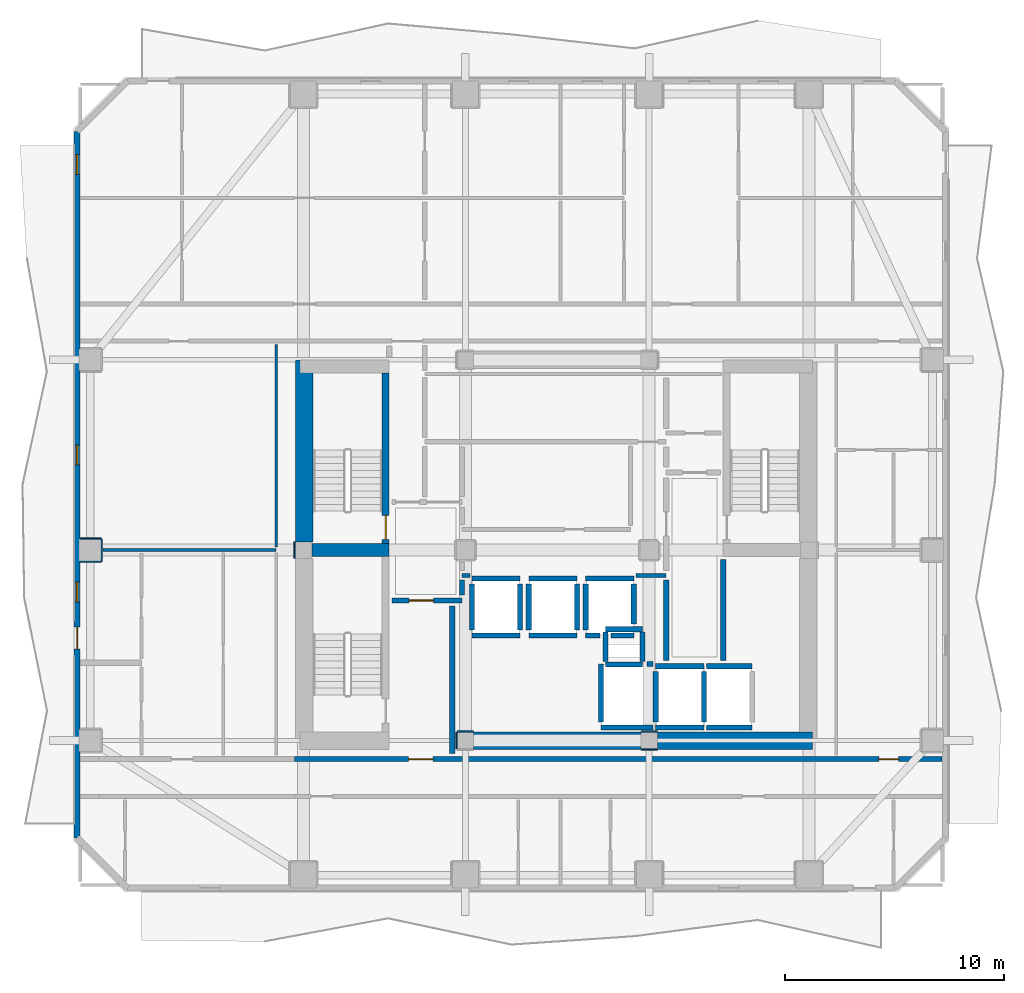
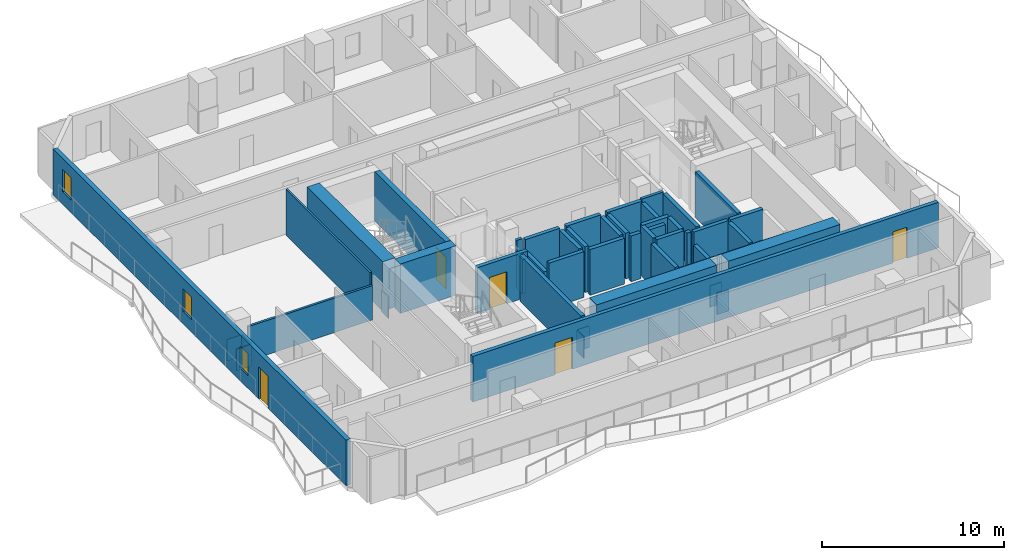
# One storey, part 3 of 11: 50 walls, 5 doors, 3 windows, 8 openings.
"""IFC4 building model written with IfcOpenShell, lengths in metres."""

from ifc_helpers import new_model, si_unit, direction, frame, frame_2d, origin, place, context, subcontext, project, spatial, rectangle, extrude, material, layer, layer_set, type_object, element, fill, save


model = new_model("IFC4")

# Units and contexts
model_context = context("Model", 3, precision=1e-05, world=origin(), true_north=direction((0.0, 1.0)))
body_context = subcontext(model_context, "Body", "Model", "MODEL_VIEW")
ifc_project = project(units=[si_unit("LENGTHUNIT", "METRE"), si_unit("AREAUNIT", "SQUARE_METRE"), si_unit("VOLUMEUNIT", "CUBIC_METRE"), si_unit("PLANEANGLEUNIT", "RADIAN"), si_unit("MASSUNIT", "GRAM", prefix="KILO")], contexts=[model_context])

# Site, building, storey
site_placement = place(None, origin())
site = spatial("IfcSite", under=ifc_project, at=site_placement, CompositionType="ELEMENT")
building_placement = place(site_placement, origin())
building = spatial("IfcBuilding", under=site, at=building_placement, Name="Solanera Arch Residences", CompositionType="ELEMENT")
storey_placement = place(building_placement, frame((0.0, 0.0, 180.199951171875)))
storey = spatial("IfcBuildingStorey", under=building, at=storey_placement, Name="L52", CompositionType="ELEMENT", Elevation=180.199951171875)

# Walls
ifc_material_1 = material(Name="Fire-Rated Gypsum Stud Partition", Category="gypsum")
ifc_layer_1 = layer(ifc_material_1, 0.06005859375)
ifc_layer_set_1 = layer_set([ifc_layer_1], Name="Fire-Rated Gypsum Stud Partition")
wall_type_1 = type_object("IfcWallType", Name="Column Acoustic Furring Wall 60", PredefinedType="PARTITIONING", material=ifc_layer_set_1)
wall_1_placement = place(storey_placement, frame((20.425048828125, 22.406982421875, 0.0), z_axis=(0.0, 0.0, 1.0), x_axis=(1.0, 0.0, 0.0)))
element("IfcWall", 1, at=wall_1_placement, inside=storey, type_object=wall_type_1, Name="L52 Column Furring 1N", PredefinedType="PARTITIONING", context=body_context, shape_type="SweptSolid", body=[
    extrude(rectangle(XDim=0.741943359375, YDim=0.06005859375, at=frame_2d((0.37109375, 0.0))), origin(), (0.0, 0.0, 1.0), 1.449951171875),
])
wall_2_placement = place(storey_placement, frame((20.39306640625, 21.625, 0.0), z_axis=(0.0, 0.0, 1.0), x_axis=(0.0, 1.0, 0.0)))
element("IfcWall", 2, at=wall_2_placement, inside=storey, type_object=wall_type_1, Name="L52 Column Furring 1W", PredefinedType="PARTITIONING", context=body_context, shape_type="SweptSolid", body=[
    extrude(rectangle(XDim=0.75, YDim=0.06005859375, at=frame_2d((0.375, 0.0))), origin(), (0.0, 0.0, 1.0), 1.449951171875),
])
for number, where, z_axis, x_axis, name in (
    (3, (28.8330078125, 21.593017578125, 0.0), (0.0, 0.0, 1.0), (1.0, 0.0, 0.0), "L52 Column Furring 2S"),
    (4, (28.8330078125, 22.406982421875, 0.0), (0.0, 0.0, 1.0), (1.0, 0.0, 0.0), "L52 Column Furring 2N"),
):
    element("IfcWall", number, at=place(storey_placement, frame(where, z_axis=z_axis, x_axis=x_axis)), inside=storey, type_object=wall_type_1, Name=name, PredefinedType="PARTITIONING", context=body_context, shape_type="SweptSolid", body=[
        extrude(rectangle(XDim=0.73388671875, YDim=0.06005859375, at=frame_2d((0.366943359375, 0.0))), origin(), (0.0, 0.0, 1.0), 1.449951171875),
    ])
wall_3_placement = place(storey_placement, frame((12.992919921875, 30.324951171875, 0.0), z_axis=(0.0, 0.0, 1.0), x_axis=(0.0, 1.0, 0.0)))
element("IfcWall", 5, at=wall_3_placement, inside=storey, type_object=wall_type_1, Name="L52 Column Furring 5W", PredefinedType="PARTITIONING", context=body_context, shape_type="SweptSolid", body=[
    extrude(rectangle(XDim=0.75, YDim=0.06005859375, at=frame_2d((0.375, 0.0))), origin(), (0.0, 0.0, 1.0), 1.449951171875),
])
for number, where, z_axis, x_axis, name in (
    (6, (3.2099609375, 30.16796875, 0.0), (0.0, 0.0, 1.0), (1.0, 0.0, 0.0), "L52 Column Furring 19S"),
    (7, (3.2099609375, 31.23193359375, 0.0), (0.0, 0.0, 1.0), (1.0, 0.0, 0.0), "L52 Column Furring 19N"),
):
    element("IfcWall", number, at=place(storey_placement, frame(where, z_axis=z_axis, x_axis=x_axis)), inside=storey, type_object=wall_type_1, Name=name, PredefinedType="PARTITIONING", context=body_context, shape_type="SweptSolid", body=[
        extrude(rectangle(XDim=0.93994140625, YDim=0.06005859375, at=frame_2d((0.469970703125, 0.0))), origin(), (0.0, 0.0, 1.0), 1.449951171875),
    ])
wall_4_placement = place(storey_placement, frame((4.181884765625, 30.199951171875, 0.0), z_axis=(0.0, 0.0, 1.0), x_axis=(0.0, 1.0, 0.0)))
element("IfcWall", 8, at=wall_4_placement, inside=storey, type_object=wall_type_1, Name="L52 Column Furring 19E", PredefinedType="PARTITIONING", context=body_context, shape_type="SweptSolid", body=[
    extrude(rectangle(XDim=1.0, YDim=0.06005859375, at=frame_2d((0.5, 0.0))), origin(), (0.0, 0.0, 1.0), 1.449951171875),
])

# Wall, opening, door
ifc_material_2 = material(Name="Concrete C40/50 (f'c = 45 MPa)", Category="concrete")
ifc_layer_2 = layer(ifc_material_2, 0.320068359375)
ifc_layer_set_2 = layer_set([ifc_layer_2], Name="Concrete C40/50 (f'c = 45 MPa)")
wall_type_2 = type_object("IfcWallType", Name="Core Shear Wall CW-320", PredefinedType="SHEAR", material=ifc_layer_set_2)
wall_5_placement = place(storey_placement, frame((17.159912109375, 31.0, 0.0), z_axis=(0.0, 0.0, 1.0), x_axis=(0.0, 1.0, 0.0)))
wall_5 = element("IfcWall", 9, at=wall_5_placement, inside=storey, type_object=wall_type_2, Name="L52 Stair ST-T1 East Shear Wall", PredefinedType="SHEAR", context=body_context, shape_type="SweptSolid", body=[
    extrude(rectangle(XDim=7.800048828125, YDim=0.320068359375, at=frame_2d((3.89990234375, 0.0))), origin(), (0.0, 0.0, 1.0), 3.320068359375),
])
opening_1_placement = place(wall_5_placement, frame((0.18994140625, 0.0, 0.0)))
opening_1 = element("IfcOpeningElement", 10, at=opening_1_placement, cuts=wall_5, Name="Opening DF-01", PredefinedType="OPENING", context=body_context, shape_type="SweptSolid", body=[
    extrude(rectangle(XDim=1.10009765625, YDim=2.14990234375, at=frame_2d((0.550048828125, 1.074951171875))), frame((0.0, 0.169921875, 0.0), z_axis=(0.0, -1.0, 0.0), x_axis=(1.0, 0.0, 0.0)), (0.0, 0.0, 1.0), 0.3401),
])
ifc_material_3 = material(Name="Fire-Rated Architectural Hardwood", Category="wood")
door_type_1 = type_object("IfcDoorType", Name="Stair Exit Fire Door DF-01", OperationType="NOTDEFINED", PredefinedType="DOOR", material=ifc_material_3)
door_1_placement = place(opening_1_placement, origin())
door_1 = element("IfcDoor", 11, at=door_1_placement, inside=storey, type_object=door_type_1, Name="DR-L52-STAIR-ST-T1", OperationType="SINGLE_SWING_LEFT", OverallHeight=2.14990234375, OverallWidth=1.10009765625, PredefinedType="DOOR", context=body_context, shape_type="SweptSolid", body=[
    extrude(rectangle(XDim=1.10009765625, YDim=2.14990234375, at=frame_2d((0.550048828125, 1.074951171875))), frame((0.0, 0.02490234375, 0.0), z_axis=(0.0, -1.0, 0.0), x_axis=(1.0, 0.0, 0.0)), (0.0, 0.0, 1.0), 0.050048828125),
])
fill(opening_1, door_1)

# Walls
ifc_material_4 = material(Name="Concrete C40/50 (f'c = 45 MPa)", Category="concrete")
ifc_layer_3 = layer(ifc_material_4, 0.60009765625)
ifc_layer_set_3 = layer_set([ifc_layer_3], Name="Concrete C40/50 (f'c = 45 MPa)")
wall_type_3 = type_object("IfcWallType", Name="Core Shear Wall CW-600", PredefinedType="SHEAR", material=ifc_layer_set_3)
wall_6_placement = place(storey_placement, frame((13.780029296875, 30.699951171875, 0.0), z_axis=(0.0, 0.0, 1.0), x_axis=(1.0, 0.0, 0.0)))
element("IfcWall", 12, at=wall_6_placement, inside=storey, type_object=wall_type_3, Name="L52 West Stair Divider Shear Wall", PredefinedType="SHEAR", context=body_context, shape_type="SweptSolid", body=[
    extrude(rectangle(XDim=3.5400390625, YDim=0.60009765625, at=frame_2d((1.77001953125, 0.0))), origin(), (0.0, 0.0, 1.0), 3.320068359375),
])
ifc_material_5 = material(Name="Concrete C40/50 (f'c = 45 MPa)", Category="concrete")
ifc_layer_4 = layer(ifc_material_5, 0.800048828125)
ifc_layer_set_4 = layer_set([ifc_layer_4], Name="Concrete C40/50 (f'c = 45 MPa)")
wall_type_4 = type_object("IfcWallType", Name="Core Shear Wall CW-800", PredefinedType="SHEAR", material=ifc_layer_set_4)
wall_7_placement = place(storey_placement, frame((13.43994140625, 31.080078125, 0.0), z_axis=(0.0, 0.0, 1.0), x_axis=(0.0, 1.0, 0.0)))
element("IfcWall", 13, at=wall_7_placement, inside=storey, type_object=wall_type_4, Name="L52 West Core North Shear Wall", PredefinedType="SHEAR", context=body_context, shape_type="SweptSolid", body=[
    extrude(rectangle(XDim=8.31982421875, YDim=0.800048828125, at=frame_2d((4.159912109375, 0.0))), origin(), (0.0, 0.0, 1.0), 3.320068359375),
])
wall_8_placement = place(storey_placement, frame((29.580078125, 22.0, 0.0), z_axis=(0.0, 0.0, 1.0), x_axis=(1.0, 0.0, 0.0)))
element("IfcWall", 14, at=wall_8_placement, inside=storey, type_object=wall_type_4, Name="L52 South-East Core Shear Wall", PredefinedType="SHEAR", context=body_context, shape_type="SweptSolid", body=[
    extrude(rectangle(XDim=7.079833984375, YDim=0.800048828125, at=frame_2d((3.5400390625, 0.0))), origin(), (0.0, 0.0, 1.0), 3.320068359375),
])
wall_9_placement = place(storey_placement, frame((21.179931640625, 22.0, 0.0), z_axis=(0.0, 0.0, 1.0), x_axis=(1.0, 0.0, 0.0)))
element("IfcWall", 15, at=wall_9_placement, inside=storey, type_object=wall_type_4, Name="L52 Central South Core Shear Wall", PredefinedType="SHEAR", context=body_context, shape_type="SweptSolid", body=[
    extrude(rectangle(XDim=7.64013671875, YDim=0.800048828125, at=frame_2d((3.820068359375, 0.0))), origin(), (0.0, 0.0, 1.0), 3.320068359375),
])
ifc_material_6 = material(Name="Autoclaved Aerated Concrete Blockwork", Category="masonry")
ifc_layer_5 = layer(ifc_material_6, 0.179931640625)
ifc_layer_set_5 = layer_set([ifc_layer_5], Name="Autoclaved Aerated Concrete Blockwork")
wall_type_5 = type_object("IfcWallType", Name="Corridor Fire Partition 180", PredefinedType="PARTITIONING", material=ifc_layer_set_5)
wall_10_placement = place(storey_placement, frame((20.64990234375, 29.550048828125, 0.0), z_axis=(0.0, 0.0, 1.0), x_axis=(1.0, 0.0, 0.0)))
element("IfcWall", 16, at=wall_10_placement, inside=storey, type_object=wall_type_5, Name="L52 Interior Partition H9 1", PredefinedType="PARTITIONING", context=body_context, shape_type="SweptSolid", body=[
    extrude(rectangle(XDim=0.357177734375, YDim=0.179931640625, at=frame_2d((0.1787109375, 0.0))), origin(), (0.0, 0.0, 1.0), 3.080078125),
])
wall_11_placement = place(storey_placement, frame((28.593017578125, 29.550048828125, 0.0), z_axis=(0.0, 0.0, 1.0), x_axis=(1.0, 0.0, 0.0)))
element("IfcWall", 17, at=wall_11_placement, inside=storey, type_object=wall_type_5, Name="L52 Interior Partition H9 2", PredefinedType="PARTITIONING", context=body_context, shape_type="SweptSolid", body=[
    extrude(rectangle(XDim=1.382080078125, YDim=0.179931640625, at=frame_2d((0.69091796875, 0.0))), origin(), (0.0, 0.0, 1.0), 3.080078125),
])

# Wall, openings, door, windows
ifc_material_7 = material(Name="Precast Concrete C35/45", Category="concrete")
ifc_layer_6 = layer(ifc_material_7, 0.280029296875)
ifc_layer_set_6 = layer_set([ifc_layer_6], Name="Precast Concrete C35/45")
wall_type_6 = type_object("IfcWallType", Name="Exterior Wall Precast Masonry-Frame 280", PredefinedType="STANDARD", material=ifc_layer_set_6)
wall_12_placement = place(storey_placement, frame((3.054931640625, 17.554931640625, 0.0), z_axis=(0.0, 0.0, 1.0), x_axis=(0.0, 1.0, 0.0)))
wall_12 = element("IfcWall", 18, at=wall_12_placement, inside=storey, type_object=wall_type_6, Name="L52 Tower Exterior Precast Masonry-Frame Wall W", PredefinedType="STANDARD", context=body_context, shape_type="SweptSolid", body=[
    extrude(rectangle(XDim=32.2900390625, YDim=0.280029296875, at=frame_2d((16.14501953125, 0.0))), origin(), (0.0, 0.0, 1.0), 3.080078125),
])
opening_2_placement = place(wall_12_placement, frame((8.625, 0.0, 0.0)))
opening_2 = element("IfcOpeningElement", 19, at=opening_2_placement, cuts=wall_12, Name="Opening DB-01", PredefinedType="OPENING", context=body_context, shape_type="SweptSolid", body=[
    extrude(rectangle(XDim=1.0, YDim=2.14990234375, at=frame_2d((0.5, 1.074951171875))), frame((0.0, 0.14990234375, 0.0), z_axis=(0.0, -1.0, 0.0), x_axis=(1.0, 0.0, 0.0)), (0.0, 0.0, 1.0), 0.3),
])
opening_3_placement = place(wall_12_placement, frame((30.322021484375, 0.0, 0.85009765625)))
opening_3 = element("IfcOpeningElement", 20, at=opening_3_placement, cuts=wall_12, Name="Opening W-06", PredefinedType="OPENING", context=body_context, shape_type="SweptSolid", body=[
    extrude(rectangle(XDim=0.89990234375, YDim=1.5, at=frame_2d((0.449951171875, 0.75))), frame((0.0, 0.14990234375, 0.0), z_axis=(0.0, -1.0, 0.0), x_axis=(1.0, 0.0, 0.0)), (0.0, 0.0, 1.0), 0.3),
])
opening_4_placement = place(wall_12_placement, frame((10.784912109375, 0.0, 0.85009765625)))
opening_4 = element("IfcOpeningElement", 21, at=opening_4_placement, cuts=wall_12, Name="Opening W-06", PredefinedType="OPENING", context=body_context, shape_type="SweptSolid", body=[
    extrude(rectangle(XDim=0.89990234375, YDim=1.5, at=frame_2d((0.449951171875, 0.75))), frame((0.0, 0.14990234375, 0.0), z_axis=(0.0, -1.0, 0.0), x_axis=(1.0, 0.0, 0.0)), (0.0, 0.0, 1.0), 0.3),
])
opening_5_placement = place(wall_12_placement, frame((17.044921875, 0.0, 0.85009765625)))
opening_5 = element("IfcOpeningElement", 22, at=opening_5_placement, cuts=wall_12, Name="Opening W-06", PredefinedType="OPENING", context=body_context, shape_type="SweptSolid", body=[
    extrude(rectangle(XDim=0.89990234375, YDim=1.5, at=frame_2d((0.449951171875, 0.75))), frame((0.0, 0.14990234375, 0.0), z_axis=(0.0, -1.0, 0.0), x_axis=(1.0, 0.0, 0.0)), (0.0, 0.0, 1.0), 0.3),
])
ifc_material_8 = material(Name="Anodised Aluminium Alloy 6063-T6", Category="aluminium")
door_type_2 = type_object("IfcDoorType", Name="Glazed Balcony Swing Door DB-01", OperationType="NOTDEFINED", PredefinedType="DOOR", material=ifc_material_8)
door_2_placement = place(opening_2_placement, origin())
door_2 = element("IfcDoor", 23, at=door_2_placement, inside=storey, type_object=door_type_2, Name="DR-L52-OUT-04", OperationType="SINGLE_SWING_LEFT", OverallHeight=2.14990234375, OverallWidth=1.0, PredefinedType="DOOR", context=body_context, shape_type="SweptSolid", body=[
    extrude(rectangle(XDim=1.0, YDim=2.14990234375, at=frame_2d((0.5, 1.074951171875))), frame((0.0, 0.02490234375, 0.0), z_axis=(0.0, -1.0, 0.0), x_axis=(1.0, 0.0, 0.0)), (0.0, 0.0, 1.0), 0.050048828125),
])
fill(opening_2, door_2)
ifc_material_9 = material(Name="Double Glazed Low-E Laminated Glass", Category="glass")
window_type = type_object("IfcWindowType", Name="Punched Window W-06", PartitioningType="SINGLE_PANEL", PredefinedType="WINDOW", material=ifc_material_9)
window_1_placement = place(opening_3_placement, origin())
window_1 = element("IfcWindow", 24, at=window_1_placement, inside=storey, type_object=window_type, Name="L52 5203-BR1 Punched Window", OverallHeight=1.5, OverallWidth=0.89990234375, PartitioningType="SINGLE_PANEL", PredefinedType="WINDOW", context=body_context, shape_type="SweptSolid", body=[
    extrude(rectangle(XDim=0.89990234375, YDim=1.5, at=frame_2d((0.449951171875, 0.75))), frame((0.0, 0.030029296875, 0.0), z_axis=(0.0, -1.0, 0.0), x_axis=(1.0, 0.0, 0.0)), (0.0, 0.0, 1.0), 0.06005859375),
])
fill(opening_3, window_1)
window_2_placement = place(opening_4_placement, origin())
window_2 = element("IfcWindow", 25, at=window_2_placement, inside=storey, type_object=window_type, Name="L52 5205-BR1 Punched Window", OverallHeight=1.5, OverallWidth=0.89990234375, PartitioningType="SINGLE_PANEL", PredefinedType="WINDOW", context=body_context, shape_type="SweptSolid", body=[
    extrude(rectangle(XDim=0.89990234375, YDim=1.5, at=frame_2d((0.449951171875, 0.75))), frame((0.0, 0.030029296875, 0.0), z_axis=(0.0, -1.0, 0.0), x_axis=(1.0, 0.0, 0.0)), (0.0, 0.0, 1.0), 0.06005859375),
])
fill(opening_4, window_2)
window_3_placement = place(opening_5_placement, origin())
window_3 = element("IfcWindow", 26, at=window_3_placement, inside=storey, type_object=window_type, Name="L52 AMN-STDW Punched Window", OverallHeight=1.5, OverallWidth=0.89990234375, PartitioningType="SINGLE_PANEL", PredefinedType="WINDOW", context=body_context, shape_type="SweptSolid", body=[
    extrude(rectangle(XDim=0.89990234375, YDim=1.5, at=frame_2d((0.449951171875, 0.75))), frame((0.0, 0.030029296875, 0.0), z_axis=(0.0, -1.0, 0.0), x_axis=(1.0, 0.0, 0.0)), (0.0, 0.0, 1.0), 0.06005859375),
])
fill(opening_5, window_3)

# Walls
ifc_material_10 = material(Name="Concrete C40/50 (f'c = 45 MPa)", Category="concrete")
ifc_layer_7 = layer(ifc_material_10, 0.239990234375)
ifc_layer_set_7 = layer_set([ifc_layer_7], Name="Concrete C40/50 (f'c = 45 MPa)")
wall_type_7 = type_object("IfcWallType", Name="Ramp Bearing Shear Wall RW-240", PredefinedType="SHEAR", material=ifc_layer_set_7)
for number, where, z_axis, x_axis, name in (
    (27, (27.199951171875, 25.47998046875, 0.0), (0.0, 0.0, 1.0), (1.0, 0.0, 0.0), "L52 Core MEP Riser South Shaft Wall"),
    (28, (27.199951171875, 27.080078125, 0.0), (0.0, 0.0, 1.0), (1.0, 0.0, 0.0), "L52 Core MEP Riser North Shaft Wall"),
):
    element("IfcWall", number, at=place(storey_placement, frame(where, z_axis=z_axis, x_axis=x_axis)), inside=storey, type_object=wall_type_7, Name=name, PredefinedType="SHEAR", context=body_context, shape_type="SweptSolid", body=[
        extrude(rectangle(XDim=1.699951171875, YDim=0.239990234375, at=frame_2d((0.85009765625, 0.0))), origin(), (0.0, 0.0, 1.0), 3.320068359375),
    ])
for number, where, z_axis, x_axis, name in (
    (29, (27.199951171875, 25.60009765625, 0.0), (0.0, 0.0, 1.0), (0.0, 1.0, 0.0), "L52 Core MEP Riser West Shaft Wall"),
    (30, (28.89990234375, 25.60009765625, 0.0), (0.0, 0.0, 1.0), (0.0, 1.0, 0.0), "L52 Core MEP Riser East Shaft Wall"),
):
    element("IfcWall", number, at=place(storey_placement, frame(where, z_axis=z_axis, x_axis=x_axis)), inside=storey, type_object=wall_type_7, Name=name, PredefinedType="SHEAR", context=body_context, shape_type="SweptSolid", body=[
        extrude(rectangle(XDim=1.35986328125, YDim=0.239990234375, at=frame_2d((0.679931640625, 0.0))), origin(), (0.0, 0.0, 1.0), 3.320068359375),
    ])
ifc_material_11 = material(Name="Autoclaved Aerated Concrete Blockwork", Category="masonry")
ifc_layer_8 = layer(ifc_material_11, 0.239990234375)
ifc_layer_set_8 = layer_set([ifc_layer_8], Name="Autoclaved Aerated Concrete Blockwork")
wall_type_8 = type_object("IfcWallType", Name="Shaft Wall Fire-Rated 240", PredefinedType="PARTITIONING", material=ifc_layer_set_8)
for number, where, z_axis, x_axis, name in (
    (31, (21.10009765625, 26.800048828125, 0.0), (0.0, 0.0, 1.0), (1.0, 0.0, 0.0), "L52 Lift PL-H1 Hoistway Wall S"),
    (32, (21.10009765625, 29.39990234375, 0.0), (0.0, 0.0, 1.0), (1.0, 0.0, 0.0), "L52 Lift PL-H1 Hoistway Wall N"),
):
    element("IfcWall", number, at=place(storey_placement, frame(where, z_axis=z_axis, x_axis=x_axis)), inside=storey, type_object=wall_type_8, Name=name, PredefinedType="PARTITIONING", context=body_context, shape_type="SweptSolid", body=[
        extrude(rectangle(XDim=2.199951171875, YDim=0.239990234375, at=frame_2d((1.10009765625, 0.0))), origin(), (0.0, 0.0, 1.0), 3.080078125),
    ])
wall_13_placement = place(storey_placement, frame((21.10009765625, 27.048095703125, 0.0), z_axis=(0.0, 0.0, 1.0), x_axis=(0.0, 1.0, 0.0)))
element("IfcWall", 33, at=wall_13_placement, inside=storey, type_object=wall_type_8, Name="L52 Lift PL-H1 Hoistway Wall W", PredefinedType="PARTITIONING", context=body_context, shape_type="SweptSolid", body=[
    extrude(rectangle(XDim=2.10400390625, YDim=0.239990234375, at=frame_2d((1.052001953125, 0.0))), origin(), (0.0, 0.0, 1.0), 2.31494140625),
])
wall_14_placement = place(storey_placement, frame((23.300048828125, 27.048095703125, 0.0), z_axis=(0.0, 0.0, 1.0), x_axis=(0.0, 1.0, 0.0)))
element("IfcWall", 34, at=wall_14_placement, inside=storey, type_object=wall_type_8, Name="L52 Lift PL-H1 Hoistway Wall E", PredefinedType="PARTITIONING", context=body_context, shape_type="SweptSolid", body=[
    extrude(rectangle(XDim=2.10400390625, YDim=0.239990234375, at=frame_2d((1.052001953125, 0.0))), origin(), (0.0, 0.0, 1.0), 3.080078125),
])
for number, where, z_axis, x_axis, name in (
    (35, (23.699951171875, 26.800048828125, 0.0), (0.0, 0.0, 1.0), (1.0, 0.0, 0.0), "L52 Lift PL-H2 Hoistway Wall S"),
    (36, (23.699951171875, 29.39990234375, 0.0), (0.0, 0.0, 1.0), (1.0, 0.0, 0.0), "L52 Lift PL-H2 Hoistway Wall N"),
):
    element("IfcWall", number, at=place(storey_placement, frame(where, z_axis=z_axis, x_axis=x_axis)), inside=storey, type_object=wall_type_8, Name=name, PredefinedType="PARTITIONING", context=body_context, shape_type="SweptSolid", body=[
        extrude(rectangle(XDim=2.199951171875, YDim=0.239990234375, at=frame_2d((1.10009765625, 0.0))), origin(), (0.0, 0.0, 1.0), 3.080078125),
    ])
for number, where, z_axis, x_axis, name in (
    (37, (23.699951171875, 27.048095703125, 0.0), (0.0, 0.0, 1.0), (0.0, 1.0, 0.0), "L52 Lift PL-H2 Hoistway Wall W"),
    (38, (25.89990234375, 27.048095703125, 0.0), (0.0, 0.0, 1.0), (0.0, 1.0, 0.0), "L52 Lift PL-H2 Hoistway Wall E"),
):
    element("IfcWall", number, at=place(storey_placement, frame(where, z_axis=z_axis, x_axis=x_axis)), inside=storey, type_object=wall_type_8, Name=name, PredefinedType="PARTITIONING", context=body_context, shape_type="SweptSolid", body=[
        extrude(rectangle(XDim=2.10400390625, YDim=0.239990234375, at=frame_2d((1.052001953125, 0.0))), origin(), (0.0, 0.0, 1.0), 3.080078125),
    ])
wall_15_placement = place(storey_placement, frame((26.300048828125, 26.800048828125, 0.0), z_axis=(0.0, 0.0, 1.0), x_axis=(1.0, 0.0, 0.0)))
element("IfcWall", 39, at=wall_15_placement, inside=storey, type_object=wall_type_8, Name="L52 Lift PL-H3 Hoistway Wall S 1", PredefinedType="PARTITIONING", context=body_context, shape_type="SweptSolid", body=[
    extrude(rectangle(XDim=0.64990234375, YDim=0.239990234375, at=frame_2d((0.324951171875, 0.0))), origin(), (0.0, 0.0, 1.0), 3.080078125),
])
wall_16_placement = place(storey_placement, frame((27.449951171875, 26.800048828125, 0.0), z_axis=(0.0, 0.0, 1.0), x_axis=(1.0, 0.0, 0.0)))
element("IfcWall", 40, at=wall_16_placement, inside=storey, type_object=wall_type_8, Name="L52 Lift PL-H3 Hoistway Wall S 2", PredefinedType="PARTITIONING", context=body_context, shape_type="SweptSolid", body=[
    extrude(rectangle(XDim=1.050048828125, YDim=0.239990234375, at=frame_2d((0.52490234375, 0.0))), origin(), (0.0, 0.0, 1.0), 3.080078125),
])
wall_17_placement = place(storey_placement, frame((26.300048828125, 29.39990234375, 0.0), z_axis=(0.0, 0.0, 1.0), x_axis=(1.0, 0.0, 0.0)))
element("IfcWall", 41, at=wall_17_placement, inside=storey, type_object=wall_type_8, Name="L52 Lift PL-H3 Hoistway Wall N", PredefinedType="PARTITIONING", context=body_context, shape_type="SweptSolid", body=[
    extrude(rectangle(XDim=2.199951171875, YDim=0.239990234375, at=frame_2d((1.10009765625, 0.0))), origin(), (0.0, 0.0, 1.0), 3.080078125),
])
wall_18_placement = place(storey_placement, frame((26.300048828125, 27.048095703125, 0.0), z_axis=(0.0, 0.0, 1.0), x_axis=(0.0, 1.0, 0.0)))
element("IfcWall", 42, at=wall_18_placement, inside=storey, type_object=wall_type_8, Name="L52 Lift PL-H3 Hoistway Wall W", PredefinedType="PARTITIONING", context=body_context, shape_type="SweptSolid", body=[
    extrude(rectangle(XDim=2.10400390625, YDim=0.239990234375, at=frame_2d((1.052001953125, 0.0))), origin(), (0.0, 0.0, 1.0), 3.080078125),
])
wall_19_placement = place(storey_placement, frame((28.5, 27.330078125, 0.0), z_axis=(0.0, 0.0, 1.0), x_axis=(0.0, 1.0, 0.0)))
element("IfcWall", 43, at=wall_19_placement, inside=storey, type_object=wall_type_8, Name="L52 Lift PL-H3 Hoistway Wall E", PredefinedType="PARTITIONING", context=body_context, shape_type="SweptSolid", body=[
    extrude(rectangle(XDim=1.822021484375, YDim=0.239990234375, at=frame_2d((0.9111328125, 0.0))), origin(), (0.0, 0.0, 1.0), 3.080078125),
])
for number, where, z_axis, x_axis, name in (
    (44, (29.5, 22.60009765625, 0.0), (0.0, 0.0, 1.0), (1.0, 0.0, 0.0), "L52 Lift FFL-1 Hoistway Wall S"),
    (45, (29.5, 25.39990234375, 0.0), (0.0, 0.0, 1.0), (1.0, 0.0, 0.0), "L52 Lift FFL-1 Hoistway Wall N"),
):
    element("IfcWall", number, at=place(storey_placement, frame(where, z_axis=z_axis, x_axis=x_axis)), inside=storey, type_object=wall_type_8, Name=name, PredefinedType="PARTITIONING", context=body_context, shape_type="SweptSolid", body=[
        extrude(rectangle(XDim=2.199951171875, YDim=0.239990234375, at=frame_2d((1.10009765625, 0.0))), origin(), (0.0, 0.0, 1.0), 3.080078125),
    ])
wall_20_placement = place(storey_placement, frame((29.5, 22.847900390625, 0.0), z_axis=(0.0, 0.0, 1.0), x_axis=(0.0, 1.0, 0.0)))
element("IfcWall", 46, at=wall_20_placement, inside=storey, type_object=wall_type_8, Name="L52 Lift FFL-1 Hoistway Wall W", PredefinedType="PARTITIONING", context=body_context, shape_type="SweptSolid", body=[
    extrude(rectangle(XDim=2.30419921875, YDim=0.239990234375, at=frame_2d((1.152099609375, 0.0))), origin(), (0.0, 0.0, 1.0), 2.31494140625),
])
wall_21_placement = place(storey_placement, frame((31.699951171875, 22.847900390625, 0.0), z_axis=(0.0, 0.0, 1.0), x_axis=(0.0, 1.0, 0.0)))
element("IfcWall", 47, at=wall_21_placement, inside=storey, type_object=wall_type_8, Name="L52 Lift FFL-1 Hoistway Wall E", PredefinedType="PARTITIONING", context=body_context, shape_type="SweptSolid", body=[
    extrude(rectangle(XDim=2.30419921875, YDim=0.239990234375, at=frame_2d((1.152099609375, 0.0))), origin(), (0.0, 0.0, 1.0), 3.080078125),
])
for number, where, z_axis, x_axis, name in (
    (48, (31.827880859375, 22.60009765625, 0.0), (0.0, 0.0, 1.0), (1.0, 0.0, 0.0), "L52 Lift FFL-2 Hoistway Wall S"),
    (49, (31.827880859375, 25.39990234375, 0.0), (0.0, 0.0, 1.0), (1.0, 0.0, 0.0), "L52 Lift FFL-2 Hoistway Wall N"),
):
    element("IfcWall", number, at=place(storey_placement, frame(where, z_axis=z_axis, x_axis=x_axis)), inside=storey, type_object=wall_type_8, Name=name, PredefinedType="PARTITIONING", context=body_context, shape_type="SweptSolid", body=[
        extrude(rectangle(XDim=2.072021484375, YDim=0.239990234375, at=frame_2d((1.0361328125, 0.0))), origin(), (0.0, 0.0, 1.0), 3.080078125),
    ])
wall_22_placement = place(storey_placement, frame((27.0, 22.60009765625, 0.0), z_axis=(0.0, 0.0, 1.0), x_axis=(1.0, 0.0, 0.0)))
element("IfcWall", 50, at=wall_22_placement, inside=storey, type_object=wall_type_8, Name="L52 Lift SVL-1 Hoistway Wall S", PredefinedType="PARTITIONING", context=body_context, shape_type="SweptSolid", body=[
    extrude(rectangle(XDim=2.3720703125, YDim=0.239990234375, at=frame_2d((1.18603515625, 0.0))), origin(), (0.0, 0.0, 1.0), 3.080078125),
])
wall_23_placement = place(storey_placement, frame((29.10302734375, 25.5, 0.0), z_axis=(0.0, 0.0, 1.0), x_axis=(1.0, 0.0, 0.0)))
element("IfcWall", 51, at=wall_23_placement, inside=storey, type_object=wall_type_8, Name="L52 Lift SVL-1 Hoistway Wall N", PredefinedType="PARTITIONING", context=body_context, shape_type="SweptSolid", body=[
    extrude(rectangle(XDim=0.26904296875, YDim=0.239990234375, at=frame_2d((0.134521484375, 0.0))), origin(), (0.0, 0.0, 1.0), 3.080078125),
])
wall_24_placement = place(storey_placement, frame((27.0, 22.847900390625, 0.0), z_axis=(0.0, 0.0, 1.0), x_axis=(0.0, 1.0, 0.0)))
element("IfcWall", 52, at=wall_24_placement, inside=storey, type_object=wall_type_8, Name="L52 Lift SVL-1 Hoistway Wall W", PredefinedType="PARTITIONING", context=body_context, shape_type="SweptSolid", body=[
    extrude(rectangle(XDim=2.650146484375, YDim=0.239990234375, at=frame_2d((1.3251953125, 0.0))), origin(), (0.0, 0.0, 1.0), 3.080078125),
])

# Wall, openings, doors
wall_25_placement = place(storey_placement, frame((12.98291015625, 21.14990234375, 0.0), z_axis=(0.0, 0.0, 1.0), x_axis=(1.0, 0.0, 0.0)))
wall_25 = element("IfcWall", 53, at=wall_25_placement, inside=storey, type_object=wall_type_8, Name="L52 Interior Partition H1 3", PredefinedType="PARTITIONING", context=body_context, shape_type="SweptSolid", body=[
    extrude(rectangle(XDim=29.610107421875, YDim=0.239990234375, at=frame_2d((14.80517578125, 0.0))), origin(), (0.0, 0.0, 1.0), 3.080078125),
])
opening_6_placement = place(wall_25_placement, frame((5.22705078125, 0.0, 0.0)))
opening_6 = element("IfcOpeningElement", 54, at=opening_6_placement, cuts=wall_25, Name="Opening DF-02", PredefinedType="OPENING", context=body_context, shape_type="SweptSolid", body=[
    extrude(rectangle(XDim=1.10009765625, YDim=2.14990234375, at=frame_2d((0.550048828125, 1.074951171875))), frame((0.0, 0.1298828125, 0.0), z_axis=(0.0, -1.0, 0.0), x_axis=(1.0, 0.0, 0.0)), (0.0, 0.0, 1.0), 0.26),
])
opening_7_placement = place(wall_25_placement, frame((26.718017578125, 0.0, 0.0)))
opening_7 = element("IfcOpeningElement", 55, at=opening_7_placement, cuts=wall_25, Name="Opening DI-02", PredefinedType="OPENING", context=body_context, shape_type="SweptSolid", body=[
    extrude(rectangle(XDim=0.89990234375, YDim=2.10009765625, at=frame_2d((0.449951171875, 1.050048828125))), frame((0.0, 0.1298828125, 0.0), z_axis=(0.0, -1.0, 0.0), x_axis=(1.0, 0.0, 0.0)), (0.0, 0.0, 1.0), 0.26),
])
ifc_material_12 = material(Name="Fire-Rated Architectural Hardwood", Category="wood")
door_type_3 = type_object("IfcDoorType", Name="Firefighting Lobby Fire Door DF-02", OperationType="NOTDEFINED", PredefinedType="DOOR", material=ifc_material_12)
door_3_placement = place(opening_6_placement, origin())
door_3 = element("IfcDoor", 56, at=door_3_placement, inside=storey, type_object=door_type_3, Name="DR-L52-IN-008", OperationType="SINGLE_SWING_RIGHT", OverallHeight=2.14990234375, OverallWidth=1.10009765625, PredefinedType="DOOR", context=body_context, shape_type="SweptSolid", body=[
    extrude(rectangle(XDim=1.10009765625, YDim=2.14990234375, at=frame_2d((0.550048828125, 1.074951171875))), frame((0.0, 0.02490234375, 0.0), z_axis=(0.0, -1.0, 0.0), x_axis=(1.0, 0.0, 0.0)), (0.0, 0.0, 1.0), 0.050048828125),
])
fill(opening_6, door_3)
ifc_material_13 = material(Name="Fire-Rated Architectural Hardwood", Category="wood")
door_type_4 = type_object("IfcDoorType", Name="Suite Room Swing Door DI-02", OperationType="NOTDEFINED", PredefinedType="DOOR", material=ifc_material_13)
door_4_placement = place(opening_7_placement, origin())
door_4 = element("IfcDoor", 57, at=door_4_placement, inside=storey, type_object=door_type_4, Name="DR-L52-IN-038", OperationType="SINGLE_SWING_RIGHT", OverallHeight=2.10009765625, OverallWidth=0.89990234375, PredefinedType="DOOR", context=body_context, shape_type="SweptSolid", body=[
    extrude(rectangle(XDim=0.89990234375, YDim=2.10009765625, at=frame_2d((0.449951171875, 1.050048828125))), frame((0.0, 0.02490234375, 0.0), z_axis=(0.0, -1.0, 0.0), x_axis=(1.0, 0.0, 0.0)), (0.0, 0.0, 1.0), 0.050048828125),
])
fill(opening_7, door_4)

# Wall, opening, door
wall_26_placement = place(storey_placement, frame((17.449951171875, 28.39990234375, 0.0), z_axis=(0.0, 0.0, 1.0), x_axis=(1.0, 0.0, 0.0)))
wall_26 = element("IfcWall", 58, at=wall_26_placement, inside=storey, type_object=wall_type_8, Name="L52 Interior Partition H4", PredefinedType="PARTITIONING", context=body_context, shape_type="SweptSolid", body=[
    extrude(rectangle(XDim=3.199951171875, YDim=0.239990234375, at=frame_2d((1.60009765625, 0.0))), origin(), (0.0, 0.0, 1.0), 3.080078125),
])
opening_8_placement = place(wall_26_placement, frame((0.783935546875, 0.0, 0.0)))
opening_8 = element("IfcOpeningElement", 59, at=opening_8_placement, cuts=wall_26, Name="Opening DF-02", PredefinedType="OPENING", context=body_context, shape_type="SweptSolid", body=[
    extrude(rectangle(XDim=1.10009765625, YDim=2.14990234375, at=frame_2d((0.550048828125, 1.074951171875))), frame((0.0, 0.1298828125, 0.0), z_axis=(0.0, -1.0, 0.0), x_axis=(1.0, 0.0, 0.0)), (0.0, 0.0, 1.0), 0.26),
])
door_5_placement = place(opening_8_placement, origin())
door_5 = element("IfcDoor", 60, at=door_5_placement, inside=storey, type_object=door_type_3, Name="DR-L52-IN-004", OperationType="SINGLE_SWING_RIGHT", OverallHeight=2.14990234375, OverallWidth=1.10009765625, PredefinedType="DOOR", context=body_context, shape_type="SweptSolid", body=[
    extrude(rectangle(XDim=1.10009765625, YDim=2.14990234375, at=frame_2d((0.550048828125, 1.074951171875))), frame((0.0, 0.02490234375, 0.0), z_axis=(0.0, -1.0, 0.0), x_axis=(1.0, 0.0, 0.0)), (0.0, 0.0, 1.0), 0.050048828125),
])
fill(opening_8, door_5)

# Walls
wall_27_placement = place(storey_placement, frame((20.199951171875, 21.39794921875, 0.0), z_axis=(0.0, 0.0, 1.0), x_axis=(0.0, 1.0, 0.0)))
element("IfcWall", 61, at=wall_27_placement, inside=storey, type_object=wall_type_8, Name="L52 Interior Partition V2", PredefinedType="PARTITIONING", context=body_context, shape_type="SweptSolid", body=[
    extrude(rectangle(XDim=6.754150390625, YDim=0.239990234375, at=frame_2d((3.376953125, 0.0))), origin(), (0.0, 0.0, 1.0), 3.080078125),
])
wall_28_placement = place(storey_placement, frame((20.64990234375, 28.64794921875, 0.0), z_axis=(0.0, 0.0, 1.0), x_axis=(0.0, 1.0, 0.0)))
element("IfcWall", 62, at=wall_28_placement, inside=storey, type_object=wall_type_8, Name="L52 Interior Partition V3 1", PredefinedType="PARTITIONING", context=body_context, shape_type="SweptSolid", body=[
    extrude(rectangle(XDim=0.68408203125, YDim=0.239990234375, at=frame_2d((0.342041015625, 0.0))), origin(), (0.0, 0.0, 1.0), 2.31494140625),
])
wall_29_placement = place(storey_placement, frame((29.97509765625, 25.64794921875, 0.0), z_axis=(0.0, 0.0, 1.0), x_axis=(0.0, 1.0, 0.0)))
element("IfcWall", 63, at=wall_29_placement, inside=storey, type_object=wall_type_8, Name="L52 Interior Partition V4 1", PredefinedType="PARTITIONING", context=body_context, shape_type="SweptSolid", body=[
    extrude(rectangle(XDim=3.68408203125, YDim=0.239990234375, at=frame_2d((1.842041015625, 0.0))), origin(), (0.0, 0.0, 1.0), 3.080078125),
])
wall_30_placement = place(storey_placement, frame((32.580078125, 25.64794921875, 0.0), z_axis=(0.0, 0.0, 1.0), x_axis=(0.0, 1.0, 0.0)))
element("IfcWall", 64, at=wall_30_placement, inside=storey, type_object=wall_type_8, Name="L52 Interior Partition V5", PredefinedType="PARTITIONING", context=body_context, shape_type="SweptSolid", body=[
    extrude(rectangle(XDim=4.6220703125, YDim=0.239990234375, at=frame_2d((2.31103515625, 0.0))), origin(), (0.0, 0.0, 1.0), 3.080078125),
])
ifc_material_14 = material(Name="Fire-Rated Gypsum Stud Partition", Category="gypsum")
ifc_layer_9 = layer(ifc_material_14, 0.1201171875)
ifc_layer_set_9 = layer_set([ifc_layer_9], Name="Fire-Rated Gypsum Stud Partition")
wall_type_9 = type_object("IfcWallType", Name="Unit Drywall Partition 120", PredefinedType="PARTITIONING", material=ifc_layer_set_9)
wall_31_placement = place(storey_placement, frame((12.14990234375, 30.837890625, 0.0), z_axis=(0.0, 0.0, 1.0), x_axis=(0.0, 1.0, 0.0)))
element("IfcWall", 65, at=wall_31_placement, inside=storey, type_object=wall_type_9, Name="L52 Interior Partition V21 2", PredefinedType="PARTITIONING", context=body_context, shape_type="SweptSolid", body=[
    extrude(rectangle(XDim=9.254150390625, YDim=0.1201171875, at=frame_2d((4.626953125, 0.0))), origin(), (0.0, 0.0, 1.0), 3.080078125),
])
ifc_material_15 = material(Name="Autoclaved Aerated Concrete Blockwork", Category="masonry")
ifc_layer_10 = layer(ifc_material_15, 0.139892578125)
ifc_layer_set_10 = layer_set([ifc_layer_10], Name="Autoclaved Aerated Concrete Blockwork")
wall_type_10 = type_object("IfcWallType", Name="Wet-Room Partition 140", PredefinedType="PARTITIONING", material=ifc_layer_set_10)
wall_32_placement = place(storey_placement, frame((4.23193359375, 30.699951171875, 0.0), z_axis=(0.0, 0.0, 1.0), x_axis=(1.0, 0.0, 0.0)))
element("IfcWall", 66, at=wall_32_placement, inside=storey, type_object=wall_type_10, Name="L52 Interior Partition H15", PredefinedType="PARTITIONING", context=body_context, shape_type="SweptSolid", body=[
    extrude(rectangle(XDim=7.91796875, YDim=0.139892578125, at=frame_2d((3.958984375, 0.0))), origin(), (0.0, 0.0, 1.0), 2.31494140625),
])

save(model, "model.ifc")
